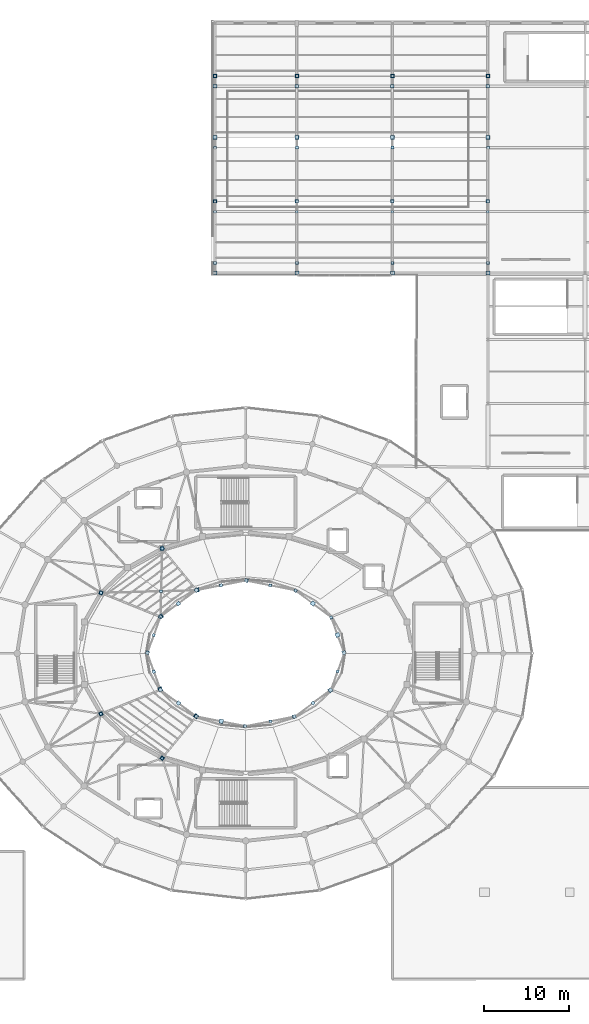
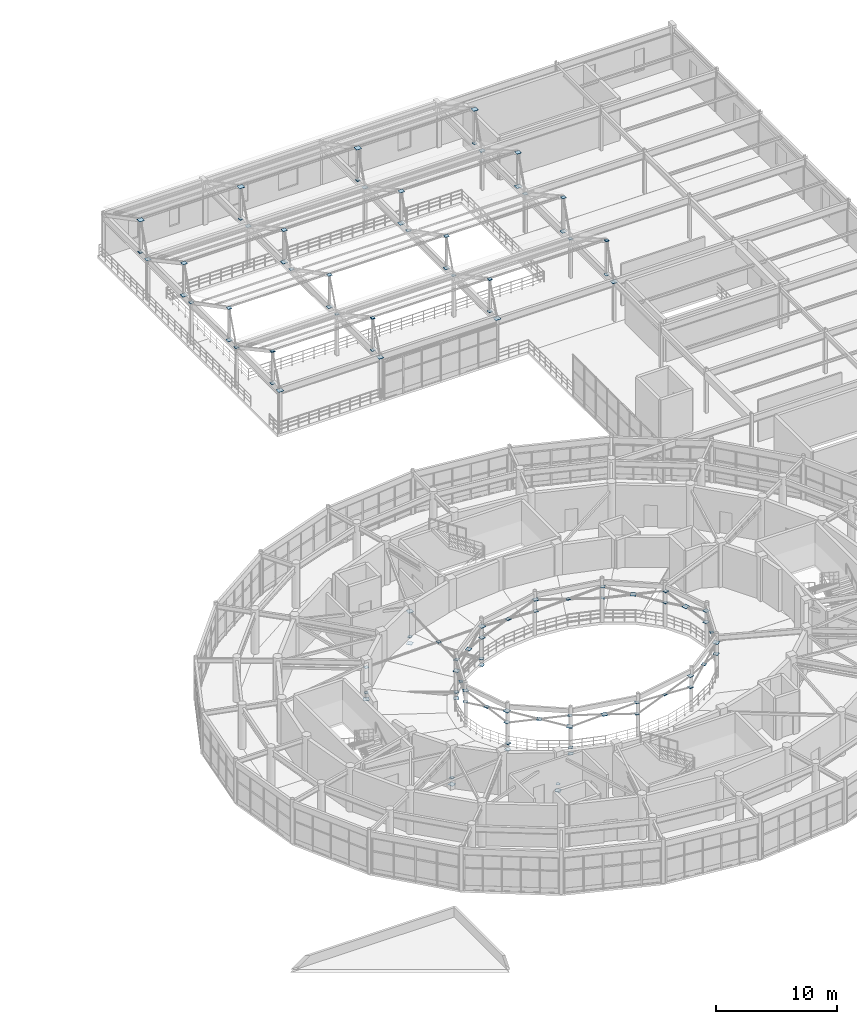
# One storey, part 81 of 112: 103 plates.
"""IFC4 building model written with IfcOpenShell, lengths in metres."""

import ifcopenshell
import ifcopenshell.guid

model = None  # the IFC model being written
_history = None  # IfcOwnerHistory: only IFC2X3 demands one
_inside = {}  # id of a spatial element -> (the spatial element, [elements in it])
_under = {}  # id of a project, library or spatial element -> (it, [spatial elements below it])
_declared = {}  # id of a project -> (the project, [libraries it declares])
_typed = {}  # id of a type object -> (the type object, [elements of that type])
_made_of = {}  # id of a material, layer set ... -> (it, [elements and type objects made of it])


def new_model(schema):
    """Start an empty IFC model of exactly this schema.

    Asked for "IFC4X3", IfcOpenShell would pick the latest addendum, in which some entities
    have other attributes; the version numbers below select the first issue.
    IFC2X3 requires an IfcOwnerHistory on every rooted entity: one is made here for all.
    """
    global model, _history
    if schema == "IFC4X3":
        model = ifcopenshell.file(schema_version=(4, 3, 0, 0))
    else:
        model = ifcopenshell.file(schema=schema)
    _inside.clear()
    _under.clear()
    _declared.clear()
    _typed.clear()
    _made_of.clear()
    _history = None
    if model.schema == "IFC2X3":
        org = make("IfcOrganization", Name="unknown")
        user = make(
            "IfcPersonAndOrganization",
            ThePerson=make("IfcPerson", FamilyName="unknown"),
            TheOrganization=org,
        )
        app = make(
            "IfcApplication",
            ApplicationDeveloper=org,
            Version="unknown",
            ApplicationFullName="unknown",
            ApplicationIdentifier="unknown",
        )
        _history = make(
            "IfcOwnerHistory",
            OwningUser=user,
            OwningApplication=app,
            ChangeAction="ADDED",
            CreationDate=0,
        )
    return model


def make(cls, **values):
    """One entity of the class cls with the attributes given. An attribute that is None is left unset."""
    return model.create_entity(
        cls, **{name: value for name, value in values.items() if value is not None}
    )


def rooted(cls, **values):
    """An entity with a GlobalId (a new one), such as an element, a storey or a relation."""
    return make(cls, GlobalId=ifcopenshell.guid.new(), OwnerHistory=_history, **values)


def si_unit(unit_type, name, prefix=None):
    """IfcSIUnit, for example si_unit("LENGTHUNIT", "METRE", prefix="MILLI")."""
    return make("IfcSIUnit", UnitType=unit_type, Prefix=prefix, Name=name)


def assignment(units):
    """IfcUnitAssignment: the units of a project."""
    return None if units is None else make("IfcUnitAssignment", Units=units)


def point(xyz):
    """IfcCartesianPoint."""
    return None if xyz is None else make("IfcCartesianPoint", Coordinates=xyz)


def direction(xyz):
    """IfcDirection."""
    return None if xyz is None else make("IfcDirection", DirectionRatios=xyz)


def frame(location, z_axis=None, x_axis=None):
    """IfcAxis2Placement3D, a coordinate frame: its origin and axes. An axis left out is left unset."""
    return make(
        "IfcAxis2Placement3D",
        Location=point(location),
        Axis=direction(z_axis),
        RefDirection=direction(x_axis),
    )


def frame_2d(location, x_axis=None):
    """IfcAxis2Placement2D, a coordinate frame in the plane: its origin and x axis."""
    return make(
        "IfcAxis2Placement2D", Location=point(location), RefDirection=direction(x_axis)
    )


def origin():
    """The frame at (0, 0, 0) with its axes left unset."""
    return frame((0.0, 0.0, 0.0))


def origin_2d():
    """The frame at (0, 0) in the plane with its x axis left unset."""
    return frame_2d((0.0, 0.0))


def place(relative_to, where):
    """IfcLocalPlacement: puts the frame where relative to a parent placement (None: the world)."""
    return make(
        "IfcLocalPlacement", PlacementRelTo=relative_to, RelativePlacement=where
    )


def context(
    kind, dimensions, precision=None, world=None, true_north=None, identifier=None
):
    """IfcGeometricRepresentationContext, for example the 3D "Model" context."""
    return make(
        "IfcGeometricRepresentationContext",
        ContextIdentifier=identifier,
        ContextType=kind,
        CoordinateSpaceDimension=dimensions,
        Precision=precision,
        WorldCoordinateSystem=world,
        TrueNorth=true_north,
    )


def subcontext(parent, identifier, kind, view, scale=None):
    """IfcGeometricRepresentationSubContext, for example "Body" below "Model"."""
    return make(
        "IfcGeometricRepresentationSubContext",
        ContextIdentifier=identifier,
        ContextType=kind,
        ParentContext=parent,
        TargetScale=scale,
        TargetView=view,
    )


def project(units=None, contexts=None):
    """IfcProject with its units and contexts."""
    return rooted(
        "IfcProject",
        Name="project",
        RepresentationContexts=contexts,
        UnitsInContext=assignment(units),
    )


def spatial(cls, under=None, at=None, **own):
    """A site, building, storey or space (cls), placed at a placement, below another one or the project."""
    s = rooted(cls, ObjectPlacement=at, **own)
    if under is not None:
        _under.setdefault(under.id(), (under, []))[1].append(s)
    return s


def profile(cls, at=None, kind="AREA", **sizes):
    """A parametric profile (cls). Its sizes go by their IFC names, for example OverallWidth=200.0."""
    return make(cls, ProfileType=kind, Position=at, **sizes)


def rectangle(**sizes):
    """IfcRectangleProfileDef."""
    return profile("IfcRectangleProfileDef", **sizes)


def extrude(swept, where, along, depth):
    """IfcExtrudedAreaSolid: the profile swept, set in the frame where, extruded along a direction by depth."""
    return make(
        "IfcExtrudedAreaSolid",
        SweptArea=swept,
        Position=where,
        ExtrudedDirection=direction(along),
        Depth=depth,
    )


def shape(context_of_items, identifier, shape_type, items):
    """IfcShapeRepresentation: the items that make up one representation, for example the "Body"."""
    return make(
        "IfcShapeRepresentation",
        ContextOfItems=context_of_items,
        RepresentationIdentifier=identifier,
        RepresentationType=shape_type,
        Items=items,
    )


def material(Name=None, Category=None):
    """IfcMaterial."""
    return make("IfcMaterial", Name=Name, Category=Category)


def layer(
    of_material, thickness, ventilated=None, Name=None, Category=None, Priority=None
):
    """IfcMaterialLayer: one layer of a wall or slab, of a material (None: an air gap)."""
    return make(
        "IfcMaterialLayer",
        Material=of_material,
        LayerThickness=thickness,
        IsVentilated=ventilated,
        Name=Name,
        Category=Category,
        Priority=Priority,
    )


def layer_set(layers, Name=None):
    """IfcMaterialLayerSet."""
    return make("IfcMaterialLayerSet", MaterialLayers=layers, LayerSetName=Name)


def made_of(thing, what):
    """Note that an element or type object is made of a material, layer set ...; save() writes the relation."""
    if what is not None:
        _made_of.setdefault(what.id(), (what, []))[1].append(thing)
    return thing


def type_object(cls, material=None, **own):
    """A type object (cls), such as IfcWallType, which elements share."""
    return made_of(rooted(cls, **own), material)


def element(
    cls,
    number,
    at=None,
    inside=None,
    cuts=None,
    type_object=None,
    material=None,
    context=None,
    identifier="Body",
    shape_type=None,
    held_by="IfcProductDefinitionShape",
    body=None,
    shapes=None,
    **own,
):
    """One element of the class cls, such as IfcWall. Its Tag is "e" and its number.

    at: its placement. inside: the storey or other place that contains it. cuts: it is an
    opening in that element (IfcRelVoidsElement). A single representation is given by context,
    identifier, shape_type and body (its items); several are given by shapes. held_by: the class
    of the entity that holds the representations. save() writes the other relations.
    """
    e = rooted(cls, Tag="e%d" % number, ObjectPlacement=at, **own)
    if body is not None:
        shapes = [shape(context, identifier, shape_type, body)]
    if shapes is not None:
        e.Representation = make(held_by, Representations=shapes)
    if inside is not None:
        _inside.setdefault(inside.id(), (inside, []))[1].append(e)
    if cuts is not None:
        rooted(
            "IfcRelVoidsElement", RelatingBuildingElement=cuts, RelatedOpeningElement=e
        )
    if type_object is not None:
        _typed.setdefault(type_object.id(), (type_object, []))[1].append(e)
    return made_of(e, material)


def aggregate(whole, parts):
    """IfcRelAggregates: a whole, such as a stair, and the parts it consists of."""
    return rooted("IfcRelAggregates", RelatingObject=whole, RelatedObjects=parts)


def save(model, path):
    """Write the relations noted so far, then the file.

    IfcRelAggregates (storeys below a building ...), IfcRelContainedInSpatialStructure (elements
    in a storey), IfcRelDefinesByType, IfcRelAssociatesMaterial and IfcRelDeclares: one each for
    every whole, place, type object, material and project.
    """
    for whole, parts in _under.values():
        aggregate(whole, parts)
    for where, things in _inside.values():
        rooted(
            "IfcRelContainedInSpatialStructure",
            RelatedElements=things,
            RelatingStructure=where,
        )
    for kind, things in _typed.values():
        rooted("IfcRelDefinesByType", RelatedObjects=things, RelatingType=kind)
    for what, things in _made_of.values():
        rooted("IfcRelAssociatesMaterial", RelatedObjects=things, RelatingMaterial=what)
    for by, libraries in _declared.values():
        rooted("IfcRelDeclares", RelatingContext=by, RelatedDefinitions=libraries)
    model.write(path)


model = new_model("IFC4")

# Units and contexts
model_context = context("Model", 3, precision=1e-05, world=origin(), true_north=direction((0.0, 1.0)))
body_context = subcontext(model_context, "Body", "Model", "MODEL_VIEW")
ifc_project = project(units=[si_unit("LENGTHUNIT", "METRE"), si_unit("AREAUNIT", "SQUARE_METRE"), si_unit("VOLUMEUNIT", "CUBIC_METRE"), si_unit("PLANEANGLEUNIT", "RADIAN"), si_unit("MASSUNIT", "GRAM", prefix="KILO")], contexts=[model_context])

# Site, building, storey
site_placement = place(None, origin())
site = spatial("IfcSite", under=ifc_project, at=site_placement, CompositionType="ELEMENT")
building_placement = place(site_placement, origin())
building = spatial("IfcBuilding", under=site, at=building_placement, Name="Cinderbank Siding Concert Hall", CompositionType="ELEMENT")
storey_placement = place(building_placement, frame((0.0, 0.0, 10.199951171875)))
storey = spatial("IfcBuildingStorey", under=building, at=storey_placement, Name="L03", CompositionType="ELEMENT", Elevation=10.199951171875)

# Plates
ifc_material = material(Name="Structural steel welded plate section AS/NZS 3679.2 / AS/NZS 3678 Grade 350 (340 MPa)", Category="steel")
ifc_layer_1 = layer(ifc_material, 0.02490234375)
ifc_layer_set_1 = layer_set([ifc_layer_1], Name="Structural steel welded plate section AS/NZS 3679.2 / AS/NZS 3678 Grade 350 (340 MPa)")
plate_type_1 = type_object("IfcPlateType", Name="GP-01 Steel Gusset Cap Plate 480x480x25", PredefinedType="SHEET", material=ifc_layer_set_1)
for number, where, z_axis, x_axis, name in (
    (1, (112.199951171875, 56.297607421875, 0.28759765625), (0.0, 0.0, 1.0), (0.635269828282, -0.77229025973, 0.0), "L03 Steel Node Gusset Plate GP-01 #1028"),
    (2, (105.02587890625, 51.10009765625, 0.28759765625), (0.0, 0.0, 1.0), (0.926791059146, -0.375577332499, 0.0), "L03 Steel Node Gusset Plate GP-01 #1032"),
    (3, (105.02587890625, 36.89990234375, 0.28759765625), (0.0, 0.0, 1.0), (0.926791059146, 0.375577332499, 0.0), "L03 Steel Node Gusset Plate GP-01 #1036"),
    (4, (112.199951171875, 31.702392578125, 0.28759765625), (0.0, 0.0, 1.0), (0.635269828282, 0.77229025973, 0.0), "L03 Steel Node Gusset Plate GP-01 #1040"),
    (5, (132.771484375, 46.151123046875, 2.953857421875), (0.0, 0.0, 1.0), (0.340379550213, -0.94028812701, 0.0), "L03 Steel Node Gusset Plate GP-01 #1156"),
    (6, (129.876953125, 49.848388671875, 2.954345703125), (0.0, 0.0, 1.0), (0.803753032213, -0.59496307718, 0.0), "L03 Steel Node Gusset Plate GP-01 #1160"),
    (7, (116.303466796875, 51.420166015625, 3.527587890625), (0.0, 0.0, 1.0), (-0.980887295008, -0.194576757325, 0.0), "L03 Steel Node Gusset Plate GP-01 #1164"),
    (8, (112.061767578125, 48.322509765625, 2.3876953125), (0.0, 0.0, 1.0), (0.803753032213, 0.59496307718, 0.0), "L03 Steel Node Gusset Plate GP-01 #1168"),
    (9, (112.199951171875, 56.297607421875, 3.527587890625), (0.0, 0.0, 1.0), (0.025304572866, 0.999679788028, 0.0), "L03 Steel Node Gusset Plate GP-01 #1172"),
    (10, (111.97021484375, 39.80029296875, 3.527587890625), (0.0, 0.0, 1.0), (0.340379550213, -0.94028812701, 0.0), "L03 Steel Node Gusset Plate GP-01 #1176"),
    (11, (116.16064453125, 36.64306640625, 2.3876953125), (0.0, 0.0, 1.0), (-0.803753032213, 0.59496307718, 0.0), "L03 Steel Node Gusset Plate GP-01 #1180"),
    (12, (119.126953125, 36.02001953125, 2.95458984375), (0.0, 0.0, 1.0), (-0.980887295008, 0.194576757325, 0.0), "L03 Steel Node Gusset Plate GP-01 #1184"),
    (13, (131.938232421875, 39.677490234375, 3.527587890625), (0.0, 0.0, 1.0), (0.803753032213, 0.59496307718, 0.0), "L03 Steel Node Gusset Plate GP-01 #1188"),
    (14, (118.39990234375, 88.60009765625, 4.1376953125), (0.0, 0.0, 1.0), (0.0, 1.0, 0.0), "L03 Steel Node Gusset Plate GP-01 #1312"),
    (15, (118.39990234375, 104.5, 4.1376953125), (0.0, 0.0, 1.0), (1.0, 0.0, 0.0), "L03 Steel Node Gusset Plate GP-01 #1316"),
    (16, (118.39990234375, 111.699951171875, 7.3876953125), (0.0, 0.0, 1.0), (1.0, 0.0, 0.0), "L03 Steel Node Gusset Plate GP-01 #1320"),
    (17, (128.0, 88.60009765625, 4.1376953125), (0.0, 0.0, 1.0), (0.0, 1.0, 0.0), "L03 Steel Node Gusset Plate GP-01 #1324"),
    (18, (128.0, 104.5, 4.1376953125), (0.0, 0.0, 1.0), (1.0, 0.0, 0.0), "L03 Steel Node Gusset Plate GP-01 #1328"),
    (19, (128.0, 111.699951171875, 7.3876953125), (0.0, 0.0, 1.0), (1.0, 0.0, 0.0), "L03 Steel Node Gusset Plate GP-01 #1332"),
    (20, (139.199951171875, 88.60009765625, 4.1376953125), (0.0, 0.0, 1.0), (0.0, 1.0, 0.0), "L03 Steel Node Gusset Plate GP-01 #1336"),
    (21, (139.199951171875, 104.5, 4.1376953125), (0.0, 0.0, 1.0), (1.0, 0.0, 0.0), "L03 Steel Node Gusset Plate GP-01 #1340"),
    (22, (139.199951171875, 111.699951171875, 7.3876953125), (0.0, 0.0, 1.0), (1.0, 0.0, 0.0), "L03 Steel Node Gusset Plate GP-01 #1344"),
    (23, (150.39990234375, 88.60009765625, 3.9375), (0.0, 0.0, 1.0), (0.0, 1.0, 0.0), "L03 Steel Node Gusset Plate GP-01 #1348"),
    (24, (150.39990234375, 104.5, 3.9375), (0.0, 0.0, 1.0), (1.0, 0.0, 0.0), "L03 Steel Node Gusset Plate GP-01 #1352"),
    (25, (150.39990234375, 111.699951171875, 7.3876953125), (0.0, 0.0, 1.0), (1.0, 0.0, 0.0), "L03 Steel Node Gusset Plate GP-01 #1356"),
):
    element("IfcPlate", number, at=place(storey_placement, frame(where, z_axis=z_axis, x_axis=x_axis)), inside=storey, type_object=plate_type_1, Name=name, PredefinedType="SHEET", context=body_context, shape_type="SweptSolid", body=[
        extrude(rectangle(XDim=0.47998046875, YDim=0.47998046875, at=origin_2d()), origin(), (0.0, 0.0, 1.0), 0.02490234375),
    ])
ifc_layer_2 = layer(ifc_material, 0.02197265625)
ifc_layer_set_2 = layer_set([ifc_layer_2], Name="Structural steel welded plate section AS/NZS 3679.2 / AS/NZS 3678 Grade 350 (340 MPa)")
plate_type_2 = type_object("IfcPlateType", Name="GP-02 Steel Gusset Cap Plate 420x420x22", PredefinedType="SHEET", material=ifc_layer_set_2)
for number, where, z_axis, x_axis, name in (
    (26, (116.22509765625, 51.404541015625, -0.3408203125), (0.0, 0.0, 1.0), (0.635269828282, -0.77229025973, 0.0), "L03 Steel Node Gusset Plate GP-02 #1029"),
    (27, (111.997314453125, 48.27490234375, -0.3408203125), (0.0, 0.0, 1.0), (0.926791059146, -0.375577332499, 0.0), "L03 Steel Node Gusset Plate GP-02 #1033"),
    (28, (111.997314453125, 39.72509765625, -0.3408203125), (0.0, 0.0, 1.0), (0.926791059146, 0.375577332499, 0.0), "L03 Steel Node Gusset Plate GP-02 #1037"),
    (29, (116.22509765625, 36.595458984375, -0.3408203125), (0.0, 0.0, 1.0), (0.635269828282, 0.77229025973, 0.0), "L03 Steel Node Gusset Plate GP-02 #1041"),
    (30, (133.522705078125, 44.0751953125, 2.38916015625), (0.0, 0.0, 1.0), (-0.340379550213, 0.94028812701, 0.0), "L03 Steel Node Gusset Plate GP-02 #1153"),
    (31, (133.522705078125, 44.0751953125, 3.529052734375), (0.0, 0.0, 1.0), (0.340379550213, -0.94028812701, 0.0), "L03 Steel Node Gusset Plate GP-02 #1157"),
    (32, (122.07861328125, 52.534423828125, 3.529052734375), (0.0, 0.0, 1.0), (-0.980887295008, 0.194576757325, 0.0), "L03 Steel Node Gusset Plate GP-02 #1161"),
    (33, (116.303466796875, 51.420166015625, 2.38916015625), (0.0, 0.0, 1.0), (0.980887295008, 0.194576757325, 0.0), "L03 Steel Node Gusset Plate GP-02 #1165"),
    (34, (114.099365234375, 49.8310546875, 2.955810546875), (0.0, 0.0, 1.0), (0.803753032213, 0.59496307718, 0.0), "L03 Steel Node Gusset Plate GP-02 #1169"),
    (35, (110.477294921875, 44.0751953125, 3.529052734375), (0.0, 0.0, 1.0), (-0.340379550213, -0.94028812701, 0.0), "L03 Steel Node Gusset Plate GP-02 #1173"),
    (36, (111.97021484375, 39.80029296875, 2.38916015625), (0.0, 0.0, 1.0), (-0.340379550213, 0.94028812701, 0.0), "L03 Steel Node Gusset Plate GP-02 #1177"),
    (37, (114.123046875, 38.151611328125, 2.955810546875), (0.0, 0.0, 1.0), (-0.803753032213, 0.59496307718, 0.0), "L03 Steel Node Gusset Plate GP-02 #1181"),
    (38, (127.696533203125, 36.579833984375, 3.529052734375), (0.0, 0.0, 1.0), (0.980887295008, 0.194576757325, 0.0), "L03 Steel Node Gusset Plate GP-02 #1185"),
    (39, (131.938232421875, 39.677490234375, 2.38916015625), (0.0, 0.0, 1.0), (-0.803753032213, -0.59496307718, 0.0), "L03 Steel Node Gusset Plate GP-02 #1189"),
    (40, (118.39990234375, 97.0, 4.13916015625), (0.0, 0.0, 1.0), (1.0, 0.0, 0.0), "L03 Steel Node Gusset Plate GP-02 #1313"),
    (41, (118.39990234375, 104.5, 7.38916015625), (0.0, 0.0, 1.0), (1.0, 0.0, 0.0), "L03 Steel Node Gusset Plate GP-02 #1317"),
    (42, (118.39990234375, 110.5, 4.13916015625), (0.0, 0.0, 1.0), (0.0, 1.0, 0.0), "L03 Steel Node Gusset Plate GP-02 #1321"),
    (43, (128.0, 97.0, 4.13916015625), (0.0, 0.0, 1.0), (1.0, 0.0, 0.0), "L03 Steel Node Gusset Plate GP-02 #1325"),
    (44, (128.0, 104.5, 7.38916015625), (0.0, 0.0, 1.0), (1.0, 0.0, 0.0), "L03 Steel Node Gusset Plate GP-02 #1329"),
    (45, (128.0, 110.5, 4.13916015625), (0.0, 0.0, 1.0), (0.0, 1.0, 0.0), "L03 Steel Node Gusset Plate GP-02 #1333"),
    (46, (139.199951171875, 97.0, 4.13916015625), (0.0, 0.0, 1.0), (1.0, 0.0, 0.0), "L03 Steel Node Gusset Plate GP-02 #1337"),
    (47, (139.199951171875, 104.5, 7.38916015625), (0.0, 0.0, 1.0), (1.0, 0.0, 0.0), "L03 Steel Node Gusset Plate GP-02 #1341"),
    (48, (139.199951171875, 110.5, 4.13916015625), (0.0, 0.0, 1.0), (0.0, 1.0, 0.0), "L03 Steel Node Gusset Plate GP-02 #1345"),
    (49, (150.39990234375, 97.0, 3.93896484375), (0.0, 0.0, 1.0), (1.0, 0.0, 0.0), "L03 Steel Node Gusset Plate GP-02 #1349"),
    (50, (150.39990234375, 104.5, 7.38916015625), (0.0, 0.0, 1.0), (1.0, 0.0, 0.0), "L03 Steel Node Gusset Plate GP-02 #1353"),
    (51, (150.39990234375, 110.5, 3.93896484375), (0.0, 0.0, 1.0), (0.0, 1.0, 0.0), "L03 Steel Node Gusset Plate GP-02 #1357"),
):
    element("IfcPlate", number, at=place(storey_placement, frame(where, z_axis=z_axis, x_axis=x_axis)), inside=storey, type_object=plate_type_2, Name=name, PredefinedType="SHEET", context=body_context, shape_type="SweptSolid", body=[
        extrude(rectangle(XDim=0.419921875, YDim=0.419921875, at=origin_2d()), origin(), (0.0, 0.0, 1.0), 0.02197265625),
    ])
ifc_layer_3 = layer(ifc_material, 0.02001953125)
ifc_layer_set_3 = layer_set([ifc_layer_3], Name="Structural steel welded plate section AS/NZS 3679.2 / AS/NZS 3678 Grade 350 (340 MPa)")
plate_type_3 = type_object("IfcPlateType", Name="GP-03 Steel Gusset Cap Plate 360x360x20", PredefinedType="SHEET", material=ifc_layer_set_3)
for number, where, z_axis, x_axis, name in (
    (52, (116.22509765625, 51.404541015625, 0.2900390625), (0.0, 0.0, 1.0), (-0.635269828282, 0.77229025973, 0.0), "L03 Steel Node Gusset Plate GP-03 #1026"),
    (53, (111.997314453125, 48.27490234375, 0.2900390625), (0.0, 0.0, 1.0), (-0.926791059146, 0.375577332499, 0.0), "L03 Steel Node Gusset Plate GP-03 #1030"),
    (54, (111.997314453125, 39.72509765625, 0.2900390625), (0.0, 0.0, 1.0), (-0.926791059146, -0.375577332499, 0.0), "L03 Steel Node Gusset Plate GP-03 #1034"),
    (55, (116.22509765625, 36.595458984375, 0.2900390625), (0.0, 0.0, 1.0), (-0.635269828282, -0.77229025973, 0.0), "L03 Steel Node Gusset Plate GP-03 #1038"),
    (56, (132.02978515625, 48.19970703125, 3.530029296875), (0.0, 0.0, 1.0), (-0.340379550213, 0.94028812701, 0.0), "L03 Steel Node Gusset Plate GP-03 #1154"),
    (57, (127.83935546875, 51.35693359375, 3.530029296875), (0.0, 0.0, 1.0), (-0.803753032213, 0.59496307718, 0.0), "L03 Steel Node Gusset Plate GP-03 #1158"),
    (58, (122.07861328125, 52.534423828125, 2.39013671875), (0.0, 0.0, 1.0), (0.980887295008, -0.194576757325, 0.0), "L03 Steel Node Gusset Plate GP-03 #1162"),
    (59, (119.09814453125, 51.974365234375, 2.95703125), (0.0, 0.0, 1.0), (0.980887295008, 0.194576757325, 0.0), "L03 Steel Node Gusset Plate GP-03 #1166"),
    (60, (105.02587890625, 51.10009765625, 3.530029296875), (0.0, 0.0, 1.0), (-0.999629364421, -0.027223772466, 0.0), "L03 Steel Node Gusset Plate GP-03 #1170"),
    (61, (110.477294921875, 44.0751953125, 2.39013671875), (0.0, 0.0, 1.0), (0.340379550213, 0.94028812701, 0.0), "L03 Steel Node Gusset Plate GP-03 #1174"),
    (62, (111.228515625, 41.848876953125, 2.956298828125), (0.0, 0.0, 1.0), (-0.340379550213, 0.94028812701, 0.0), "L03 Steel Node Gusset Plate GP-03 #1178"),
    (63, (121.92138671875, 35.465576171875, 3.530029296875), (0.0, 0.0, 1.0), (0.980887295008, -0.194576757325, 0.0), "L03 Steel Node Gusset Plate GP-03 #1182"),
    (64, (127.696533203125, 36.579833984375, 2.39013671875), (0.0, 0.0, 1.0), (-0.980887295008, -0.194576757325, 0.0), "L03 Steel Node Gusset Plate GP-03 #1186"),
    (65, (129.900634765625, 38.1689453125, 2.956787109375), (0.0, 0.0, 1.0), (-0.803753032213, -0.59496307718, 0.0), "L03 Steel Node Gusset Plate GP-03 #1190"),
    (66, (118.39990234375, 89.800048828125, 4.14013671875), (0.0, 0.0, 1.0), (1.0, 0.0, 0.0), "L03 Steel Node Gusset Plate GP-03 #1310"),
    (67, (118.39990234375, 97.0, 7.39013671875), (0.0, 0.0, 1.0), (1.0, 0.0, 0.0), "L03 Steel Node Gusset Plate GP-03 #1314"),
    (68, (118.39990234375, 103.300048828125, 4.14013671875), (0.0, 0.0, 1.0), (0.0, 1.0, 0.0), "L03 Steel Node Gusset Plate GP-03 #1318"),
    (69, (128.0, 89.800048828125, 4.14013671875), (0.0, 0.0, 1.0), (1.0, 0.0, 0.0), "L03 Steel Node Gusset Plate GP-03 #1322"),
    (70, (128.0, 97.0, 7.39013671875), (0.0, 0.0, 1.0), (1.0, 0.0, 0.0), "L03 Steel Node Gusset Plate GP-03 #1326"),
    (71, (128.0, 103.300048828125, 4.14013671875), (0.0, 0.0, 1.0), (0.0, 1.0, 0.0), "L03 Steel Node Gusset Plate GP-03 #1330"),
    (72, (139.199951171875, 89.800048828125, 4.14013671875), (0.0, 0.0, 1.0), (1.0, 0.0, 0.0), "L03 Steel Node Gusset Plate GP-03 #1334"),
    (73, (139.199951171875, 97.0, 7.39013671875), (0.0, 0.0, 1.0), (1.0, 0.0, 0.0), "L03 Steel Node Gusset Plate GP-03 #1338"),
    (74, (139.199951171875, 103.300048828125, 4.14013671875), (0.0, 0.0, 1.0), (0.0, 1.0, 0.0), "L03 Steel Node Gusset Plate GP-03 #1342"),
    (75, (150.39990234375, 89.800048828125, 3.93994140625), (0.0, 0.0, 1.0), (1.0, 0.0, 0.0), "L03 Steel Node Gusset Plate GP-03 #1346"),
    (76, (150.39990234375, 97.0, 7.39013671875), (0.0, 0.0, 1.0), (1.0, 0.0, 0.0), "L03 Steel Node Gusset Plate GP-03 #1350"),
    (77, (150.39990234375, 103.300048828125, 3.93994140625), (0.0, 0.0, 1.0), (0.0, 1.0, 0.0), "L03 Steel Node Gusset Plate GP-03 #1354"),
):
    element("IfcPlate", number, at=place(storey_placement, frame(where, z_axis=z_axis, x_axis=x_axis)), inside=storey, type_object=plate_type_3, Name=name, PredefinedType="SHEET", context=body_context, shape_type="SweptSolid", body=[
        extrude(rectangle(XDim=0.360107421875, YDim=0.360107421875, at=origin_2d()), origin(), (0.0, 0.0, 1.0), 0.02001953125),
    ])
ifc_layer_4 = layer(ifc_material, 0.02099609375)
ifc_layer_set_4 = layer_set([ifc_layer_4], Name="Structural steel welded plate section AS/NZS 3679.2 / AS/NZS 3678 Grade 350 (340 MPa)")
plate_type_4 = type_object("IfcPlateType", Name="GP-04 Steel Gusset Cap Plate 320x320x21", PredefinedType="SHEET", material=ifc_layer_set_4)
for number, where, z_axis, x_axis, name in (
    (78, (112.199951171875, 56.297607421875, 0.95947265625), (0.0, 0.0, 1.0), (-0.635269828282, 0.77229025973, 0.0), "L03 Steel Node Gusset Plate GP-04 #1027"),
    (79, (105.02587890625, 51.10009765625, 0.95947265625), (0.0, 0.0, 1.0), (-0.926791059146, 0.375577332499, 0.0), "L03 Steel Node Gusset Plate GP-04 #1031"),
    (80, (105.02587890625, 36.89990234375, 0.95947265625), (0.0, 0.0, 1.0), (-0.926791059146, -0.375577332499, 0.0), "L03 Steel Node Gusset Plate GP-04 #1035"),
    (81, (112.199951171875, 31.702392578125, 0.95947265625), (0.0, 0.0, 1.0), (-0.635269828282, -0.77229025973, 0.0), "L03 Steel Node Gusset Plate GP-04 #1039"),
    (82, (132.02978515625, 48.19970703125, 2.3896484375), (0.0, 0.0, 1.0), (0.340379550213, -0.94028812701, 0.0), "L03 Steel Node Gusset Plate GP-04 #1155"),
    (83, (127.83935546875, 51.35693359375, 2.3896484375), (0.0, 0.0, 1.0), (0.803753032213, -0.59496307718, 0.0), "L03 Steel Node Gusset Plate GP-04 #1159"),
    (84, (124.873046875, 51.97998046875, 2.95654296875), (0.0, 0.0, 1.0), (0.980887295008, -0.194576757325, 0.0), "L03 Steel Node Gusset Plate GP-04 #1163"),
    (85, (112.061767578125, 48.322509765625, 3.529541015625), (0.0, 0.0, 1.0), (-0.803753032213, -0.59496307718, 0.0), "L03 Steel Node Gusset Plate GP-04 #1167"),
    (86, (112.0732421875, 51.276611328125, 3.529541015625), (0.0, 0.0, 1.0), (0.025304572866, 0.999679788028, 0.0), "L03 Steel Node Gusset Plate GP-04 #1171"),
    (87, (111.21875, 46.123779296875, 2.955810546875), (0.0, 0.0, 1.0), (0.340379550213, 0.94028812701, 0.0), "L03 Steel Node Gusset Plate GP-04 #1175"),
    (88, (116.16064453125, 36.64306640625, 3.529541015625), (0.0, 0.0, 1.0), (0.803753032213, -0.59496307718, 0.0), "L03 Steel Node Gusset Plate GP-04 #1179"),
    (89, (121.92138671875, 35.465576171875, 2.3896484375), (0.0, 0.0, 1.0), (-0.980887295008, 0.194576757325, 0.0), "L03 Steel Node Gusset Plate GP-04 #1183"),
    (90, (124.90185546875, 36.025634765625, 2.95654296875), (0.0, 0.0, 1.0), (-0.980887295008, -0.194576757325, 0.0), "L03 Steel Node Gusset Plate GP-04 #1187"),
    (91, (132.78125, 41.876220703125, 2.955810546875), (0.0, 0.0, 1.0), (-0.340379550213, -0.94028812701, 0.0), "L03 Steel Node Gusset Plate GP-04 #1191"),
    (92, (118.39990234375, 89.800048828125, 7.3896484375), (0.0, 0.0, 1.0), (1.0, 0.0, 0.0), "L03 Steel Node Gusset Plate GP-04 #1311"),
    (93, (118.39990234375, 95.800048828125, 4.1396484375), (0.0, 0.0, 1.0), (0.0, 1.0, 0.0), "L03 Steel Node Gusset Plate GP-04 #1315"),
    (94, (118.39990234375, 111.699951171875, 4.1396484375), (0.0, 0.0, 1.0), (1.0, 0.0, 0.0), "L03 Steel Node Gusset Plate GP-04 #1319"),
    (95, (128.0, 89.800048828125, 7.3896484375), (0.0, 0.0, 1.0), (1.0, 0.0, 0.0), "L03 Steel Node Gusset Plate GP-04 #1323"),
    (96, (128.0, 95.800048828125, 4.1396484375), (0.0, 0.0, 1.0), (0.0, 1.0, 0.0), "L03 Steel Node Gusset Plate GP-04 #1327"),
    (97, (128.0, 111.699951171875, 4.1396484375), (0.0, 0.0, 1.0), (1.0, 0.0, 0.0), "L03 Steel Node Gusset Plate GP-04 #1331"),
    (98, (139.199951171875, 89.800048828125, 7.3896484375), (0.0, 0.0, 1.0), (1.0, 0.0, 0.0), "L03 Steel Node Gusset Plate GP-04 #1335"),
    (99, (139.199951171875, 95.800048828125, 4.1396484375), (0.0, 0.0, 1.0), (0.0, 1.0, 0.0), "L03 Steel Node Gusset Plate GP-04 #1339"),
    (100, (139.199951171875, 111.699951171875, 4.1396484375), (0.0, 0.0, 1.0), (1.0, 0.0, 0.0), "L03 Steel Node Gusset Plate GP-04 #1343"),
    (101, (150.39990234375, 89.800048828125, 7.3896484375), (0.0, 0.0, 1.0), (1.0, 0.0, 0.0), "L03 Steel Node Gusset Plate GP-04 #1347"),
    (102, (150.39990234375, 95.800048828125, 3.939453125), (0.0, 0.0, 1.0), (0.0, 1.0, 0.0), "L03 Steel Node Gusset Plate GP-04 #1351"),
    (103, (150.39990234375, 111.699951171875, 3.939453125), (0.0, 0.0, 1.0), (1.0, 0.0, 0.0), "L03 Steel Node Gusset Plate GP-04 #1355"),
):
    element("IfcPlate", number, at=place(storey_placement, frame(where, z_axis=z_axis, x_axis=x_axis)), inside=storey, type_object=plate_type_4, Name=name, PredefinedType="SHEET", context=body_context, shape_type="SweptSolid", body=[
        extrude(rectangle(XDim=0.320068359375, YDim=0.320068359375, at=origin_2d()), origin(), (0.0, 0.0, 1.0), 0.02099609375),
    ])

save(model, "model.ifc")
